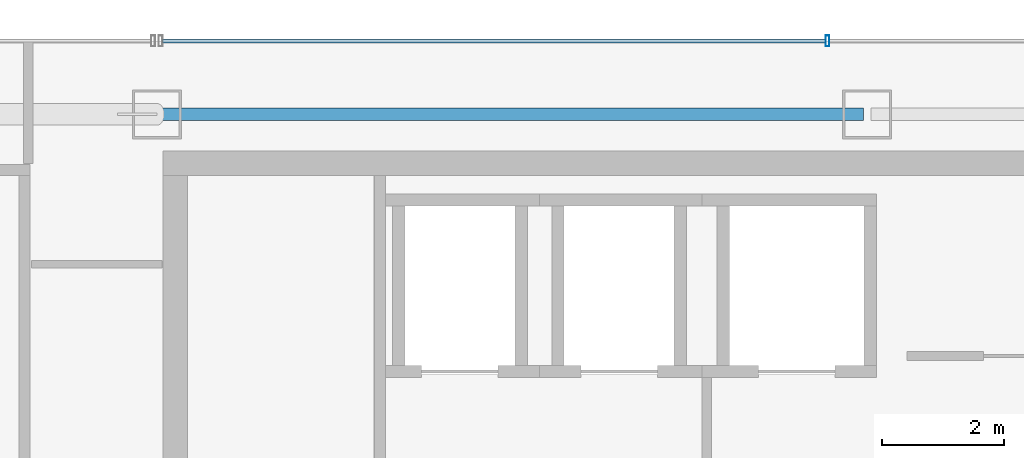
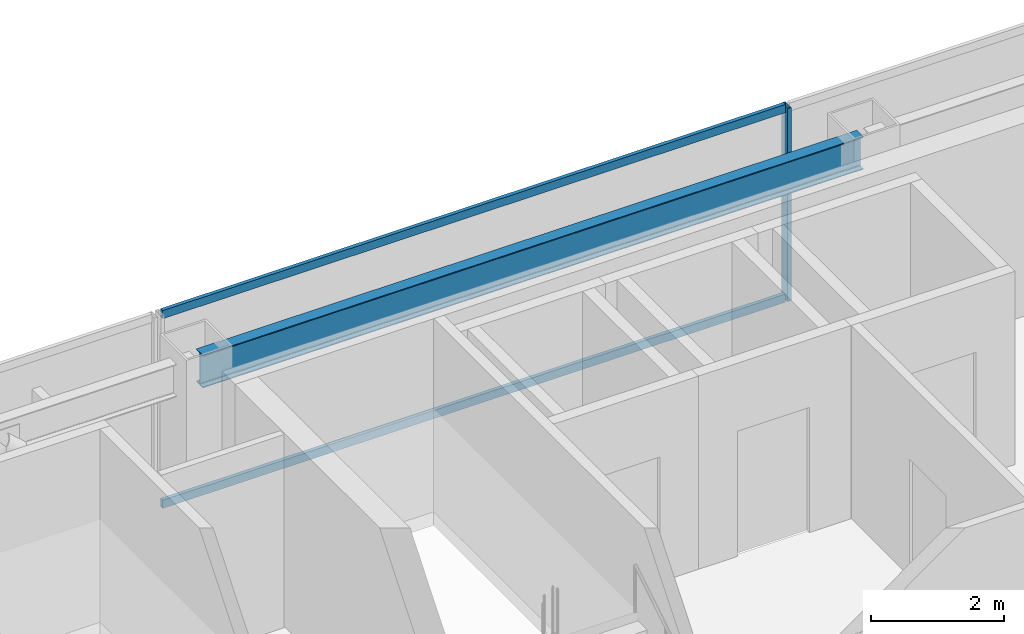
# One storey, part 20 of 33: 3 members, 1 beam, 1 element without a shape of its own.
"""IFC4 building model written with IfcOpenShell, lengths in metres."""

import ifcopenshell
import ifcopenshell.guid

model = None  # the IFC model being written
_history = None  # IfcOwnerHistory: only IFC2X3 demands one
_inside = {}  # id of a spatial element -> (the spatial element, [elements in it])
_under = {}  # id of a project, library or spatial element -> (it, [spatial elements below it])
_declared = {}  # id of a project -> (the project, [libraries it declares])
_typed = {}  # id of a type object -> (the type object, [elements of that type])
_made_of = {}  # id of a material, layer set ... -> (it, [elements and type objects made of it])


def new_model(schema):
    """Start an empty IFC model of exactly this schema.

    Asked for "IFC4X3", IfcOpenShell would pick the latest addendum, in which some entities
    have other attributes; the version numbers below select the first issue.
    IFC2X3 requires an IfcOwnerHistory on every rooted entity: one is made here for all.
    """
    global model, _history
    if schema == "IFC4X3":
        model = ifcopenshell.file(schema_version=(4, 3, 0, 0))
    else:
        model = ifcopenshell.file(schema=schema)
    _inside.clear()
    _under.clear()
    _declared.clear()
    _typed.clear()
    _made_of.clear()
    _history = None
    if model.schema == "IFC2X3":
        org = make("IfcOrganization", Name="unknown")
        user = make(
            "IfcPersonAndOrganization",
            ThePerson=make("IfcPerson", FamilyName="unknown"),
            TheOrganization=org,
        )
        app = make(
            "IfcApplication",
            ApplicationDeveloper=org,
            Version="unknown",
            ApplicationFullName="unknown",
            ApplicationIdentifier="unknown",
        )
        _history = make(
            "IfcOwnerHistory",
            OwningUser=user,
            OwningApplication=app,
            ChangeAction="ADDED",
            CreationDate=0,
        )
    return model


def make(cls, **values):
    """One entity of the class cls with the attributes given. An attribute that is None is left unset."""
    return model.create_entity(
        cls, **{name: value for name, value in values.items() if value is not None}
    )


def rooted(cls, **values):
    """An entity with a GlobalId (a new one), such as an element, a storey or a relation."""
    return make(cls, GlobalId=ifcopenshell.guid.new(), OwnerHistory=_history, **values)


def si_unit(unit_type, name, prefix=None):
    """IfcSIUnit, for example si_unit("LENGTHUNIT", "METRE", prefix="MILLI")."""
    return make("IfcSIUnit", UnitType=unit_type, Prefix=prefix, Name=name)


def assignment(units):
    """IfcUnitAssignment: the units of a project."""
    return None if units is None else make("IfcUnitAssignment", Units=units)


def point(xyz):
    """IfcCartesianPoint."""
    return None if xyz is None else make("IfcCartesianPoint", Coordinates=xyz)


def direction(xyz):
    """IfcDirection."""
    return None if xyz is None else make("IfcDirection", DirectionRatios=xyz)


def frame(location, z_axis=None, x_axis=None):
    """IfcAxis2Placement3D, a coordinate frame: its origin and axes. An axis left out is left unset."""
    return make(
        "IfcAxis2Placement3D",
        Location=point(location),
        Axis=direction(z_axis),
        RefDirection=direction(x_axis),
    )


def frame_2d(location, x_axis=None):
    """IfcAxis2Placement2D, a coordinate frame in the plane: its origin and x axis."""
    return make(
        "IfcAxis2Placement2D", Location=point(location), RefDirection=direction(x_axis)
    )


def origin():
    """The frame at (0, 0, 0) with its axes left unset."""
    return frame((0.0, 0.0, 0.0))


def origin_2d():
    """The frame at (0, 0) in the plane with its x axis left unset."""
    return frame_2d((0.0, 0.0))


def place(relative_to, where):
    """IfcLocalPlacement: puts the frame where relative to a parent placement (None: the world)."""
    return make(
        "IfcLocalPlacement", PlacementRelTo=relative_to, RelativePlacement=where
    )


def context(
    kind, dimensions, precision=None, world=None, true_north=None, identifier=None
):
    """IfcGeometricRepresentationContext, for example the 3D "Model" context."""
    return make(
        "IfcGeometricRepresentationContext",
        ContextIdentifier=identifier,
        ContextType=kind,
        CoordinateSpaceDimension=dimensions,
        Precision=precision,
        WorldCoordinateSystem=world,
        TrueNorth=true_north,
    )


def subcontext(parent, identifier, kind, view, scale=None):
    """IfcGeometricRepresentationSubContext, for example "Body" below "Model"."""
    return make(
        "IfcGeometricRepresentationSubContext",
        ContextIdentifier=identifier,
        ContextType=kind,
        ParentContext=parent,
        TargetScale=scale,
        TargetView=view,
    )


def project(units=None, contexts=None):
    """IfcProject with its units and contexts."""
    return rooted(
        "IfcProject",
        Name="project",
        RepresentationContexts=contexts,
        UnitsInContext=assignment(units),
    )


def spatial(cls, under=None, at=None, **own):
    """A site, building, storey or space (cls), placed at a placement, below another one or the project."""
    s = rooted(cls, ObjectPlacement=at, **own)
    if under is not None:
        _under.setdefault(under.id(), (under, []))[1].append(s)
    return s


def profile(cls, at=None, kind="AREA", **sizes):
    """A parametric profile (cls). Its sizes go by their IFC names, for example OverallWidth=200.0."""
    return make(cls, ProfileType=kind, Position=at, **sizes)


def hollow_rectangle(**sizes):
    """IfcRectangleHollowProfileDef."""
    return profile("IfcRectangleHollowProfileDef", **sizes)


def i_section(**sizes):
    """IfcIShapeProfileDef."""
    return profile("IfcIShapeProfileDef", **sizes)


def extrude(swept, where, along, depth):
    """IfcExtrudedAreaSolid: the profile swept, set in the frame where, extruded along a direction by depth."""
    return make(
        "IfcExtrudedAreaSolid",
        SweptArea=swept,
        Position=where,
        ExtrudedDirection=direction(along),
        Depth=depth,
    )


def shape(context_of_items, identifier, shape_type, items):
    """IfcShapeRepresentation: the items that make up one representation, for example the "Body"."""
    return make(
        "IfcShapeRepresentation",
        ContextOfItems=context_of_items,
        RepresentationIdentifier=identifier,
        RepresentationType=shape_type,
        Items=items,
    )


def material(Name=None, Category=None):
    """IfcMaterial."""
    return make("IfcMaterial", Name=Name, Category=Category)


def material_profile(
    of_material, cross_section, Name=None, Category=None, Priority=None
):
    """IfcMaterialProfile: a cross section and its material."""
    return make(
        "IfcMaterialProfile",
        Name=Name,
        Material=of_material,
        Profile=cross_section,
        Priority=Priority,
        Category=Category,
    )


def profile_set(profiles, Name=None, composite=None):
    """IfcMaterialProfileSet."""
    return make(
        "IfcMaterialProfileSet",
        Name=Name,
        MaterialProfiles=profiles,
        CompositeProfile=composite,
    )


def made_of(thing, what):
    """Note that an element or type object is made of a material, layer set ...; save() writes the relation."""
    if what is not None:
        _made_of.setdefault(what.id(), (what, []))[1].append(thing)
    return thing


def type_object(cls, material=None, **own):
    """A type object (cls), such as IfcWallType, which elements share."""
    return made_of(rooted(cls, **own), material)


def element(
    cls,
    number,
    at=None,
    inside=None,
    cuts=None,
    type_object=None,
    material=None,
    context=None,
    identifier="Body",
    shape_type=None,
    held_by="IfcProductDefinitionShape",
    body=None,
    shapes=None,
    **own,
):
    """One element of the class cls, such as IfcWall. Its Tag is "e" and its number.

    at: its placement. inside: the storey or other place that contains it. cuts: it is an
    opening in that element (IfcRelVoidsElement). A single representation is given by context,
    identifier, shape_type and body (its items); several are given by shapes. held_by: the class
    of the entity that holds the representations. save() writes the other relations.
    """
    e = rooted(cls, Tag="e%d" % number, ObjectPlacement=at, **own)
    if body is not None:
        shapes = [shape(context, identifier, shape_type, body)]
    if shapes is not None:
        e.Representation = make(held_by, Representations=shapes)
    if inside is not None:
        _inside.setdefault(inside.id(), (inside, []))[1].append(e)
    if cuts is not None:
        rooted(
            "IfcRelVoidsElement", RelatingBuildingElement=cuts, RelatedOpeningElement=e
        )
    if type_object is not None:
        _typed.setdefault(type_object.id(), (type_object, []))[1].append(e)
    return made_of(e, material)


def aggregate(whole, parts):
    """IfcRelAggregates: a whole, such as a stair, and the parts it consists of."""
    return rooted("IfcRelAggregates", RelatingObject=whole, RelatedObjects=parts)


def save(model, path):
    """Write the relations noted so far, then the file.

    IfcRelAggregates (storeys below a building ...), IfcRelContainedInSpatialStructure (elements
    in a storey), IfcRelDefinesByType, IfcRelAssociatesMaterial and IfcRelDeclares: one each for
    every whole, place, type object, material and project.
    """
    for whole, parts in _under.values():
        aggregate(whole, parts)
    for where, things in _inside.values():
        rooted(
            "IfcRelContainedInSpatialStructure",
            RelatedElements=things,
            RelatingStructure=where,
        )
    for kind, things in _typed.values():
        rooted("IfcRelDefinesByType", RelatedObjects=things, RelatingType=kind)
    for what, things in _made_of.values():
        rooted("IfcRelAssociatesMaterial", RelatedObjects=things, RelatingMaterial=what)
    for by, libraries in _declared.values():
        rooted("IfcRelDeclares", RelatingContext=by, RelatedDefinitions=libraries)
    model.write(path)


model = new_model("IFC4")

# Units and contexts
model_context = context("Model", 3, precision=1e-05, world=origin(), true_north=direction((0.0, 1.0)))
body_context = subcontext(model_context, "Body", "Model", "MODEL_VIEW")
ifc_project = project(units=[si_unit("LENGTHUNIT", "METRE"), si_unit("AREAUNIT", "SQUARE_METRE"), si_unit("VOLUMEUNIT", "CUBIC_METRE"), si_unit("PLANEANGLEUNIT", "RADIAN"), si_unit("MASSUNIT", "GRAM", prefix="KILO")], contexts=[model_context])

# Site, building, storey
site_placement = place(None, origin())
site = spatial("IfcSite", under=ifc_project, at=site_placement, CompositionType="ELEMENT")
building_placement = place(site_placement, origin())
building = spatial("IfcBuilding", under=site, at=building_placement, Name="Saevonmaru Cultural Tower", CompositionType="ELEMENT")
storey_placement = place(building_placement, frame((0.0, 0.0, 238.199951171875)))
storey = spatial("IfcBuildingStorey", under=building, at=storey_placement, Name="L55", CompositionType="ELEMENT", Elevation=238.199951171875)

# Beam
ifc_material_1 = material(Name="Steel SM355", Category="steel")
ifc_material_profile_1 = material_profile(ifc_material_1, i_section(OverallWidth=0.199951171875, OverallDepth=0.60009765625, WebThickness=0.010986328125, FlangeThickness=0.01708984375, FilletRadius=0.02197265625, at=origin_2d()), Name="H-600x200x11x17")
ifc_profile_set_1 = profile_set([ifc_material_profile_1], Name="Steel SM355")
beam_type = type_object("IfcBeamType", Name="BM-SP-H600", PredefinedType="SPANDREL", material=ifc_profile_set_1)
beam_placement = place(storey_placement, frame((13.659912109375, 54.800048828125, 3.25), z_axis=(1.0, 0.0, 0.0), x_axis=(0.0, 1.0, 0.0)))
element("IfcBeam", 1, at=beam_placement, inside=storey, type_object=beam_type, Name="L55 North Spine Girder 2", PredefinedType="SPANDREL", context=body_context, shape_type="SweptSolid", body=[
    extrude(i_section(OverallWidth=0.199951171875, OverallDepth=0.60009765625, WebThickness=0.010986328125, FlangeThickness=0.01708984375, FilletRadius=0.02197265625, at=origin_2d()), origin(), (0.0, 0.0, 1.0), 11.47998046875),
])

# Curtain wall, members
ifc_material_2 = material(Name="Satin Bronze Anodised Aluminium", Category="aluminium")
curtain_wall_type = type_object("IfcCurtainWallType", Name="CW-TYP-B", PredefinedType="NOTDEFINED", material=ifc_material_2)
curtain_wall_placement = place(storey_placement, origin())
curtain_wall = element("IfcCurtainWall", 2, at=curtain_wall_placement, inside=storey, type_object=curtain_wall_type, Name="L55 North Spine Unitised Curtain Wall E10B", PredefinedType="NOTDEFINED")
ifc_material_profile_2 = material_profile(ifc_material_2, hollow_rectangle(XDim=0.06494140625, YDim=0.179931640625, WallThickness=0.00390625, at=origin_2d()), Name="ALU-MULL-180x65x4")
ifc_profile_set_2 = profile_set([ifc_material_profile_2], Name="Satin Bronze Anodised Aluminium")
member_type_1 = type_object("IfcMemberType", Name="ML-CW-180x65", PredefinedType="MULLION", material=ifc_profile_set_2)
member_1_placement = place(storey_placement, frame((24.55322265625, 56.0, 0.0), z_axis=(0.0, 0.0, 1.0), x_axis=(-1.0, 0.0, 0.0)))
member_1 = element("IfcMember", 3, at=member_1_placement, type_object=member_type_1, Name="CW-TW-L55-E10B mullion 3", PredefinedType="MULLION", context=body_context, shape_type="SweptSolid", body=[
    extrude(hollow_rectangle(XDim=0.06494140625, YDim=0.179931640625, WallThickness=0.00390625, at=origin_2d()), origin(), (0.0, 0.0, 1.0), 3.550048828125),
])
ifc_material_profile_3 = material_profile(ifc_material_2, hollow_rectangle(XDim=0.06494140625, YDim=0.14990234375, WallThickness=0.00390625, at=origin_2d()), Name="ALU-TRAN-150x65x4")
ifc_profile_set_3 = profile_set([ifc_material_profile_3], Name="Satin Bronze Anodised Aluminium")
member_type_2 = type_object("IfcMemberType", Name="TR-CW-150x65", PredefinedType="USERDEFINED", material=ifc_profile_set_3)
member_2_placement = place(storey_placement, frame((24.520751953125, 56.0, 0.032470703125), z_axis=(-1.0, 0.0, 0.0), x_axis=(0.0, -1.0, 0.0)))
member_2 = element("IfcMember", 4, at=member_2_placement, type_object=member_type_2, Name="CW-TW-L55-E10B transom 3.1", ObjectType="TRANSOM", PredefinedType="USERDEFINED", context=body_context, shape_type="SweptSolid", body=[
    extrude(hollow_rectangle(XDim=0.06494140625, YDim=0.14990234375, WallThickness=0.00390625, at=origin_2d()), origin(), (0.0, 0.0, 1.0), 10.828369140625),
])
member_3_placement = place(storey_placement, frame((24.520751953125, 56.0, 3.517578125), z_axis=(-1.0, 0.0, 0.0), x_axis=(0.0, -1.0, 0.0)))
member_3 = element("IfcMember", 5, at=member_3_placement, type_object=member_type_2, Name="CW-TW-L55-E10B transom 3.2", ObjectType="TRANSOM", PredefinedType="USERDEFINED", context=body_context, shape_type="SweptSolid", body=[
    extrude(hollow_rectangle(XDim=0.06494140625, YDim=0.14990234375, WallThickness=0.00390625, at=origin_2d()), origin(), (0.0, 0.0, 1.0), 10.828369140625),
])
aggregate(curtain_wall, [member_1, member_2, member_3])

save(model, "model.ifc")
